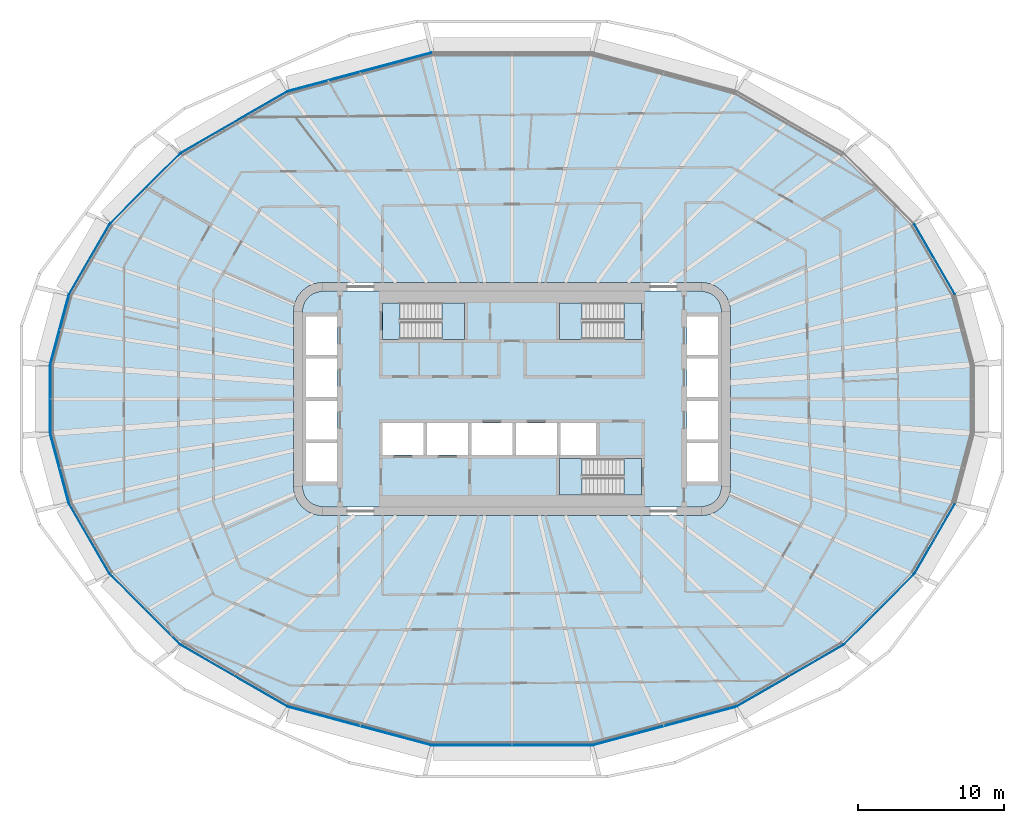
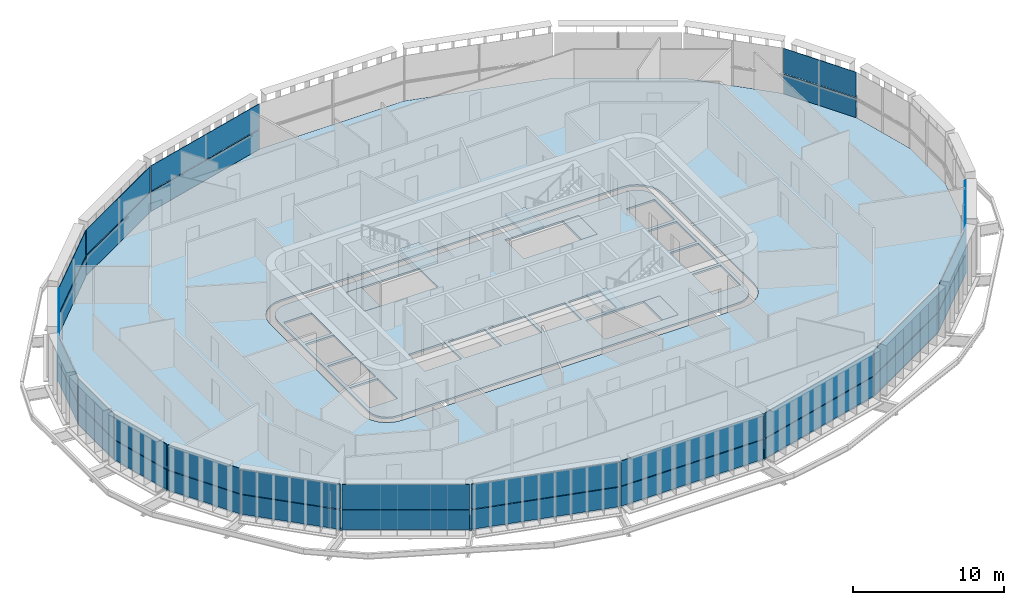
# One storey, part 13 of 26: 34 plates, 8 slabs, 20 elements without a shape of their own.
"""IFC4 building model written with IfcOpenShell, lengths in metres."""

from ifc_helpers import new_model, si_unit, direction, frame, origin, place, context, subcontext, project, spatial, polyline, outline, extrude, material, layer, layer_set, type_object, element, aggregate, save


model = new_model("IFC4")

# Units and contexts
model_context = context("Model", 3, precision=1e-05, world=origin(), true_north=direction((0.0, 1.0)))
body_context = subcontext(model_context, "Body", "Model", "MODEL_VIEW")
ifc_project = project(units=[si_unit("LENGTHUNIT", "METRE"), si_unit("AREAUNIT", "SQUARE_METRE"), si_unit("VOLUMEUNIT", "CUBIC_METRE"), si_unit("PLANEANGLEUNIT", "RADIAN"), si_unit("MASSUNIT", "GRAM", prefix="KILO")], contexts=[model_context])

# Site, building, storey
site_placement = place(None, origin())
site = spatial("IfcSite", under=ifc_project, at=site_placement, CompositionType="ELEMENT")
building_placement = place(site_placement, origin())
building = spatial("IfcBuilding", under=site, at=building_placement, Name="Sahrelin Media Tower", CompositionType="ELEMENT")
storey_placement = place(building_placement, frame((0.0, 0.0, 92.39990234375)))
storey = spatial("IfcBuildingStorey", under=building, at=storey_placement, Name="L17", CompositionType="ELEMENT", Elevation=92.39990234375)

# Slabs
ifc_material_1 = material(Name="Concrete C40/50", Category="concrete")
ifc_layer_1 = layer(ifc_material_1, 0.14990234375)
ifc_layer_set_1 = layer_set([ifc_layer_1], Name="Composite floor slab 150")
slab_type_1 = type_object("IfcSlabType", Name="Composite floor slab 150", PredefinedType="FLOOR", material=ifc_layer_set_1)
placement_1 = place(storey_placement, frame((0.0, 0.0, -0.14990234375)))
element("IfcSlab", 1, at=placement_1, inside=storey, type_object=slab_type_1, Name="Floor slab L17", PredefinedType="FLOOR", context=body_context, shape_type="SweptSolid", body=[
    extrude(outline(polyline([(31.69140625, -2.364013671875), (31.69140625, 2.364013671875), (30.411376953125, 7.140869140625), (27.596923828125, 12.015625), (22.759033203125, 16.853515625), (15.37060546875, 21.119140625), (5.491455078125, 23.766357421875), (-5.491455078125, 23.766357421875), (-15.37060546875, 21.119140625), (-22.759033203125, 16.853515625), (-27.596923828125, 12.015625), (-30.411376953125, 7.140869140625), (-31.69140625, 2.364013671875), (-31.69140625, -2.364013671875), (-30.411376953125, -7.140869140625), (-27.596923828125, -12.015625), (-22.759033203125, -16.853515625), (-15.37060546875, -21.119140625), (-5.491455078125, -23.766357421875), (5.491455078125, -23.766357421875), (15.37060546875, -21.119140625), (22.759033203125, -16.853515625), (27.596923828125, -12.015625), (30.411376953125, -7.140869140625), (31.69140625, -2.364013671875)]), holes=[polyline([(14.931884765625, 6.517578125), (15.0, 6.0), (15.0, -6.0), (14.931884765625, -6.517578125), (14.732177734375, -7.0), (14.414306640625, -7.414306640625), (14.0, -7.732177734375), (13.517578125, -7.931884765625), (13.0, -8.0), (-13.0, -8.0), (-13.517578125, -7.931884765625), (-14.0, -7.732177734375), (-14.414306640625, -7.414306640625), (-14.732177734375, -7.0), (-14.931884765625, -6.517578125), (-15.0, -6.0), (-15.0, 6.0), (-14.931884765625, 6.517578125), (-14.732177734375, 7.0), (-14.414306640625, 7.414306640625), (-14.0, 7.732177734375), (-13.517578125, 7.931884765625), (-13.0, 8.0), (13.0, 8.0), (13.517578125, 7.931884765625), (14.0, 7.732177734375), (14.414306640625, 7.414306640625), (14.732177734375, 7.0), (14.931884765625, 6.517578125)])]), origin(), (0.0, 0.0, 1.0), 0.14990234375),
])
ifc_layer_2 = layer(ifc_material_1, 0.14990234375)
ifc_layer_set_2 = layer_set([ifc_layer_2], Name="Core floor slab 150")
slab_type_2 = type_object("IfcSlabType", Name="Core floor slab 150", PredefinedType="FLOOR", material=ifc_layer_set_2)
element("IfcSlab", 2, at=placement_1, inside=storey, type_object=slab_type_2, Name="Core floor", PredefinedType="FLOOR", context=body_context, shape_type="SweptSolid", body=[
    extrude(outline(polyline([(-14.347412109375, 6.361083984375), (-14.39990234375, 5.960693359375), (-14.39990234375, -5.960693359375), (-14.347412109375, -6.361083984375), (-14.2080078125, -6.697509765625), (-13.986328125, -6.986328125), (-13.697509765625, -7.2080078125), (-13.361083984375, -7.347412109375), (-12.960693359375, -7.39990234375), (12.960693359375, -7.39990234375), (13.361083984375, -7.347412109375), (13.697509765625, -7.2080078125), (13.986328125, -6.986328125), (14.2080078125, -6.697509765625), (14.347412109375, -6.361083984375), (14.39990234375, -5.960693359375), (14.39990234375, 5.960693359375), (14.347412109375, 6.361083984375), (14.2080078125, 6.697509765625), (13.986328125, 6.986328125), (13.697509765625, 7.2080078125), (13.361083984375, 7.347412109375), (12.960693359375, 7.39990234375), (-12.960693359375, 7.39990234375), (-13.361083984375, 7.347412109375), (-13.697509765625, 7.2080078125), (-13.986328125, 6.986328125), (-14.2080078125, 6.697509765625), (-14.347412109375, 6.361083984375)]), holes=[polyline([(-12.0, 3.02490234375), (-12.0, 5.675048828125), (-14.14990234375, 5.675048828125), (-14.14990234375, 3.02490234375), (-12.0, 3.02490234375)]), polyline([(-14.14990234375, 0.125), (-12.0, 0.125), (-12.0, 2.77490234375), (-14.14990234375, 2.77490234375), (-14.14990234375, 0.125)]), polyline([(-14.14990234375, -0.125), (-14.14990234375, -2.77490234375), (-12.0, -2.77490234375), (-12.0, -0.125), (-14.14990234375, -0.125)]), polyline([(-12.0, -3.02490234375), (-14.14990234375, -3.02490234375), (-14.14990234375, -5.675048828125), (-12.0, -5.675048828125), (-12.0, -3.02490234375)]), polyline([(14.14990234375, 3.02490234375), (14.14990234375, 5.675048828125), (12.0, 5.675048828125), (12.0, 3.02490234375), (14.14990234375, 3.02490234375)]), polyline([(12.0, 0.125), (14.14990234375, 0.125), (14.14990234375, 2.77490234375), (12.0, 2.77490234375), (12.0, 0.125)]), polyline([(12.0, -0.125), (12.0, -2.77490234375), (14.14990234375, -2.77490234375), (14.14990234375, -0.125), (12.0, -0.125)]), polyline([(14.14990234375, -3.02490234375), (12.0, -3.02490234375), (12.0, -5.675048828125), (14.14990234375, -5.675048828125), (14.14990234375, -3.02490234375)]), polyline([(-6.074951171875, -3.85009765625), (-6.074951171875, -1.64990234375), (-8.875, -1.64990234375), (-8.875, -3.85009765625), (-6.074951171875, -3.85009765625)]), polyline([(-5.824951171875, -3.85009765625), (-3.02490234375, -3.85009765625), (-3.02490234375, -1.64990234375), (-5.824951171875, -1.64990234375), (-5.824951171875, -3.85009765625)]), polyline([(-2.77490234375, -1.64990234375), (-2.77490234375, -3.85009765625), (0.02490234375, -3.85009765625), (0.02490234375, -1.64990234375), (-2.77490234375, -1.64990234375)]), polyline([(3.074951171875, -1.64990234375), (0.27490234375, -1.64990234375), (0.27490234375, -3.85009765625), (3.074951171875, -3.85009765625), (3.074951171875, -1.64990234375)]), polyline([(5.77490234375, -3.85009765625), (5.77490234375, -1.64990234375), (3.324951171875, -1.64990234375), (3.324951171875, -3.85009765625), (5.77490234375, -3.85009765625)]), polyline([(-8.875, 6.60009765625), (-8.875, 4.10009765625), (-3.27490234375, 4.10009765625), (-3.27490234375, 6.60009765625), (-8.875, 6.60009765625)]), polyline([(3.27490234375, 4.10009765625), (8.875, 4.10009765625), (8.875, 6.60009765625), (3.27490234375, 6.60009765625), (3.27490234375, 4.10009765625)]), polyline([(3.27490234375, -4.10009765625), (3.27490234375, -6.60009765625), (8.875, -6.60009765625), (8.875, -4.10009765625), (3.27490234375, -4.10009765625)])]), origin(), (0.0, 0.0, 1.0), 0.14990234375),
])

# Curtain wall, plate
ifc_material_2 = material(Name="Champagne anodised aluminium 6063-T6", Category="aluminium")
ifc_layer_3 = layer(ifc_material_2, 0.14990234375)
ifc_layer_set_3 = layer_set([ifc_layer_3], Name="Tower ribbon curtain wall")
curtain_wall_type = type_object("IfcCurtainWallType", Name="Tower ribbon curtain wall", PredefinedType="NOTDEFINED", material=ifc_layer_set_3)
curtain_wall_1_placement = place(storey_placement, frame((29.021484375, 9.58837890625, 0.0), z_axis=(0.0, 0.0, 1.0), x_axis=(1.0, 0.0, 0.0)))
curtain_wall_1 = element("IfcCurtainWall", 3, at=curtain_wall_1_placement, inside=storey, type_object=curtain_wall_type, Name="L17:CW:L17-02", PredefinedType="NOTDEFINED")
ifc_material_3 = material(Name="Clear low-iron glazing", Category="glass")
ifc_layer_4 = layer(ifc_material_3, 0.0400390625)
ifc_layer_set_4 = layer_set([ifc_layer_4], Name="Glazing panel 40 mm CW1")
plate_type_1 = type_object("IfcPlateType", Name="Glazing panel 40 mm CW1", PredefinedType="CURTAIN_PANEL", material=ifc_layer_set_4)
plate_1_placement = place(storey_placement, frame((30.42236328125, 7.201904296875, 1.630126953125), z_axis=(0.866024699562, 0.500001219746, 0.0), x_axis=(-0.500001219746, 0.866024699562, 0.0)))
plate_1 = element("IfcPlate", 4, at=plate_1_placement, type_object=plate_type_1, Name="L17:CWP2:L17-02", PredefinedType="CURTAIN_PANEL", context=body_context, shape_type="SweptSolid", body=[
    extrude(outline(polyline([(0.0, 0.0), (5.5341796875, 0.0), (5.5341796875, 2.0185546875), (0.0, 2.0185546875), (0.0, 0.0)])), origin(), (0.0, 0.0, -1.0), 0.0400390625),
])

curtain_wall_2_placement = place(storey_placement, frame((-10.436279296875, 22.462158203125, 0.0), z_axis=(0.0, 0.0, 1.0), x_axis=(1.0, 0.0, 0.0)))
curtain_wall_2 = element("IfcCurtainWall", 5, at=curtain_wall_2_placement, inside=storey, type_object=curtain_wall_type, Name="L17:CW:L17-07", PredefinedType="NOTDEFINED")
plate_2_placement = place(storey_placement, frame((-5.547607421875, 23.792724609375, 1.630126953125), z_axis=(-0.258817176465, 0.965926326987, 0.0), x_axis=(-0.965926326987, -0.258817176465, 0.0)))
plate_2 = element("IfcPlate", 6, at=plate_2_placement, type_object=plate_type_1, Name="L17:CWP2:L17-07", PredefinedType="CURTAIN_PANEL", context=body_context, shape_type="SweptSolid", body=[
    extrude(outline(polyline([(0.0, 0.0), (10.1328125, 0.0), (10.1328125, 2.0185546875), (0.0, 2.0185546875), (0.0, 0.0)])), origin(), (0.0, 0.0, -1.0), 0.0400390625),
])

curtain_wall_3_placement = place(storey_placement, frame((-19.074951171875, 19.003662109375, 0.0), z_axis=(0.0, 0.0, 1.0), x_axis=(1.0, 0.0, 0.0)))
curtain_wall_3 = element("IfcCurtainWall", 7, at=curtain_wall_3_placement, inside=storey, type_object=curtain_wall_type, Name="L17:CW:L17-08", PredefinedType="NOTDEFINED")
plate_3_placement = place(storey_placement, frame((-15.431640625, 21.130126953125, 1.630126953125), z_axis=(-0.500013857328, 0.866017403105, 0.0), x_axis=(-0.866017403105, -0.500013857328, 0.0)))
plate_3 = element("IfcPlate", 8, at=plate_3_placement, type_object=plate_type_1, Name="L17:CWP2:L17-08", PredefinedType="CURTAIN_PANEL", context=body_context, shape_type="SweptSolid", body=[
    extrude(outline(polyline([(0.0, 0.0), (8.436767578125, 0.0), (8.436767578125, 2.0185546875), (0.0, 2.0185546875), (0.0, 0.0)])), origin(), (0.0, 0.0, -1.0), 0.0400390625),
])

curtain_wall_4_placement = place(storey_placement, frame((-25.192138671875, 14.448486328125, 0.0), z_axis=(0.0, 0.0, 1.0), x_axis=(1.0, 0.0, 0.0)))
curtain_wall_4 = element("IfcCurtainWall", 9, at=curtain_wall_4_placement, inside=storey, type_object=curtain_wall_type, Name="L17:CW:L17-09", PredefinedType="NOTDEFINED")
plate_4_placement = place(storey_placement, frame((-22.82080078125, 16.84814453125, 1.630126953125), z_axis=(-0.707088688516, 0.707124873394, 0.0), x_axis=(-0.707124873394, -0.707088688516, 0.0)))
plate_4 = element("IfcPlate", 10, at=plate_4_placement, type_object=plate_type_1, Name="L17:CWP2:L17-09", PredefinedType="CURTAIN_PANEL", context=body_context, shape_type="SweptSolid", body=[
    extrude(outline(polyline([(0.0, 0.0), (6.7470703125, 0.0), (6.7470703125, 2.0185546875), (0.0, 2.0185546875), (0.0, 0.0)])), origin(), (0.0, 0.0, -1.0), 0.0400390625),
])

curtain_wall_5_placement = place(storey_placement, frame((-29.021484375, 9.58837890625, 0.0), z_axis=(0.0, 0.0, 1.0), x_axis=(1.0, 0.0, 0.0)))
curtain_wall_5 = element("IfcCurtainWall", 11, at=curtain_wall_5_placement, inside=storey, type_object=curtain_wall_type, Name="L17:CW:L17-10", PredefinedType="NOTDEFINED")
plate_5_placement = place(storey_placement, frame((-27.6552734375, 11.99462890625, 1.630126953125), z_axis=(-0.866024699562, 0.500001219746, 0.0), x_axis=(-0.500001219746, -0.866024699562, 0.0)))
plate_5 = element("IfcPlate", 12, at=plate_5_placement, type_object=plate_type_1, Name="L17:CWP2:L17-10", PredefinedType="CURTAIN_PANEL", context=body_context, shape_type="SweptSolid", body=[
    extrude(outline(polyline([(0.0, 0.0), (5.5341796875, 0.0), (5.5341796875, 2.0185546875), (0.0, 2.0185546875), (0.0, 0.0)])), origin(), (0.0, 0.0, -1.0), 0.0400390625),
])

curtain_wall_6_placement = place(storey_placement, frame((-31.07080078125, 4.757568359375, 0.0), z_axis=(0.0, 0.0, 1.0), x_axis=(1.0, 0.0, 0.0)))
curtain_wall_6 = element("IfcCurtainWall", 13, at=curtain_wall_6_placement, inside=storey, type_object=curtain_wall_type, Name="L17:CW:L17-11", PredefinedType="NOTDEFINED")
plate_6_placement = place(storey_placement, frame((-30.46240234375, 7.10546875, 1.630126953125), z_axis=(-0.965928505831, 0.258809044708, 0.0), x_axis=(-0.258809044708, -0.965928505831, 0.0)))
plate_6 = element("IfcPlate", 14, at=plate_6_placement, type_object=plate_type_1, Name="L17:CWP2:L17-11", PredefinedType="CURTAIN_PANEL", context=body_context, shape_type="SweptSolid", body=[
    extrude(outline(polyline([(0.0, 0.0), (4.8505859375, 0.0), (4.8505859375, 2.0185546875), (0.0, 2.0185546875), (0.0, 0.0)])), origin(), (0.0, 0.0, -1.0), 0.0400390625),
])

curtain_wall_7_placement = place(storey_placement, frame((-31.711181640625, 0.0, 0.0), z_axis=(0.0, 0.0, 1.0), x_axis=(1.0, 0.0, 0.0)))
curtain_wall_7 = element("IfcCurtainWall", 15, at=curtain_wall_7_placement, inside=storey, type_object=curtain_wall_type, Name="L17:CW:L17-12", PredefinedType="NOTDEFINED")
plate_7_placement = place(storey_placement, frame((-31.731201171875, 2.316650390625, 1.630126953125), z_axis=(-1.0, 0.0, 0.0), x_axis=(0.0, -1.0, 0.0)))
plate_7 = element("IfcPlate", 16, at=plate_7_placement, type_object=plate_type_1, Name="L17:CWP2:L17-12", PredefinedType="CURTAIN_PANEL", context=body_context, shape_type="SweptSolid", body=[
    extrude(outline(polyline([(0.0, 0.0), (4.63330078125, 0.0), (4.63330078125, 2.0185546875), (0.0, 2.0185546875), (0.0, 0.0)])), origin(), (0.0, 0.0, -1.0), 0.0400390625),
])

curtain_wall_8_placement = place(storey_placement, frame((-31.07080078125, -4.757568359375, 0.0), z_axis=(0.0, 0.0, 1.0), x_axis=(1.0, 0.0, 0.0)))
curtain_wall_8 = element("IfcCurtainWall", 17, at=curtain_wall_8_placement, inside=storey, type_object=curtain_wall_type, Name="L17:CW:L17-13", PredefinedType="NOTDEFINED")
plate_8_placement = place(storey_placement, frame((-31.7177734375, -2.420166015625, 1.630126953125), z_axis=(-0.965928505831, -0.258809044708, 0.0), x_axis=(0.258809044708, -0.965928505831, 0.0)))
plate_8 = element("IfcPlate", 18, at=plate_8_placement, type_object=plate_type_1, Name="L17:CWP2:L17-13", PredefinedType="CURTAIN_PANEL", context=body_context, shape_type="SweptSolid", body=[
    extrude(outline(polyline([(0.0, 0.0), (4.8505859375, 0.0), (4.8505859375, 2.0185546875), (0.0, 2.0185546875), (0.0, 0.0)])), origin(), (0.0, 0.0, -1.0), 0.0400390625),
])

curtain_wall_9_placement = place(storey_placement, frame((-29.021484375, -9.58837890625, 0.0), z_axis=(0.0, 0.0, 1.0), x_axis=(1.0, 0.0, 0.0)))
curtain_wall_9 = element("IfcCurtainWall", 19, at=curtain_wall_9_placement, inside=storey, type_object=curtain_wall_type, Name="L17:CW:L17-14", PredefinedType="NOTDEFINED")
plate_9_placement = place(storey_placement, frame((-30.42236328125, -7.201904296875, 1.630126953125), z_axis=(-0.866024699562, -0.500001219746, 0.0), x_axis=(0.500001219746, -0.866024699562, 0.0)))
plate_9 = element("IfcPlate", 20, at=plate_9_placement, type_object=plate_type_1, Name="L17:CWP2:L17-14", PredefinedType="CURTAIN_PANEL", context=body_context, shape_type="SweptSolid", body=[
    extrude(outline(polyline([(0.0, 0.0), (5.5341796875, 0.0), (5.5341796875, 2.0185546875), (0.0, 2.0185546875), (0.0, 0.0)])), origin(), (0.0, 0.0, -1.0), 0.0400390625),
])

curtain_wall_10_placement = place(storey_placement, frame((-25.192138671875, -14.44873046875, 0.0), z_axis=(0.0, 0.0, 1.0), x_axis=(1.0, 0.0, 0.0)))
curtain_wall_10 = element("IfcCurtainWall", 21, at=curtain_wall_10_placement, inside=storey, type_object=curtain_wall_type, Name="L17:CW:L17-15", PredefinedType="NOTDEFINED")
plate_10_placement = place(storey_placement, frame((-27.591796875, -12.077392578125, 1.630126953125), z_axis=(-0.707088688516, -0.707124873394, 0.0), x_axis=(0.707124873394, -0.707088688516, 0.0)))
plate_10 = element("IfcPlate", 22, at=plate_10_placement, type_object=plate_type_1, Name="L17:CWP2:L17-15", PredefinedType="CURTAIN_PANEL", context=body_context, shape_type="SweptSolid", body=[
    extrude(outline(polyline([(0.0, 0.0), (6.7470703125, 0.0), (6.7470703125, 2.0185546875), (0.0, 2.0185546875), (0.0, 0.0)])), origin(), (0.0, 0.0, -1.0), 0.0400390625),
])

curtain_wall_11_placement = place(storey_placement, frame((-19.074951171875, -19.003662109375, 0.0), z_axis=(0.0, 0.0, 1.0), x_axis=(1.0, 0.0, 0.0)))
curtain_wall_11 = element("IfcCurtainWall", 23, at=curtain_wall_11_placement, inside=storey, type_object=curtain_wall_type, Name="L17:CW:L17-16", PredefinedType="NOTDEFINED")
plate_11_placement = place(storey_placement, frame((-22.738037109375, -16.91162109375, 1.630126953125), z_axis=(-0.500013857328, -0.866017403105, 0.0), x_axis=(0.866017403105, -0.500013857328, 0.0)))
plate_11 = element("IfcPlate", 24, at=plate_11_placement, type_object=plate_type_1, Name="L17:CWP2:L17-16", PredefinedType="CURTAIN_PANEL", context=body_context, shape_type="SweptSolid", body=[
    extrude(outline(polyline([(0.0, 0.0), (8.436767578125, 0.0), (8.436767578125, 2.0185546875), (0.0, 2.0185546875), (0.0, 0.0)])), origin(), (0.0, 0.0, -1.0), 0.0400390625),
])

curtain_wall_12_placement = place(storey_placement, frame((-10.436279296875, -22.4619140625, 0.0), z_axis=(0.0, 0.0, 1.0), x_axis=(1.0, 0.0, 0.0)))
curtain_wall_12 = element("IfcCurtainWall", 25, at=curtain_wall_12_placement, inside=storey, type_object=curtain_wall_type, Name="L17:CW:L17-17", PredefinedType="NOTDEFINED")
plate_12_placement = place(storey_placement, frame((-15.335205078125, -21.170166015625, 1.630126953125), z_axis=(-0.258817176465, -0.965926326987, 0.0), x_axis=(0.965926326987, -0.258817176465, 0.0)))
plate_12 = element("IfcPlate", 26, at=plate_12_placement, type_object=plate_type_1, Name="L17:CWP2:L17-17", PredefinedType="CURTAIN_PANEL", context=body_context, shape_type="SweptSolid", body=[
    extrude(outline(polyline([(0.0, 0.0), (10.1328125, 0.0), (10.1328125, 2.0185546875), (0.0, 2.0185546875), (0.0, 0.0)])), origin(), (0.0, 0.0, -1.0), 0.0400390625),
])

curtain_wall_13_placement = place(storey_placement, frame((0.0, -23.786376953125, 0.0), z_axis=(0.0, 0.0, 1.0), x_axis=(1.0, 0.0, 0.0)))
curtain_wall_13 = element("IfcCurtainWall", 27, at=curtain_wall_13_placement, inside=storey, type_object=curtain_wall_type, Name="L17:CW:L17-18", PredefinedType="NOTDEFINED")
plate_13_placement = place(storey_placement, frame((-5.444091796875, -23.806396484375, 1.630126953125), z_axis=(0.0, -1.0, 0.0), x_axis=(1.0, 0.0, 0.0)))
plate_13 = element("IfcPlate", 28, at=plate_13_placement, type_object=plate_type_1, Name="L17:CWP2:L17-18", PredefinedType="CURTAIN_PANEL", context=body_context, shape_type="SweptSolid", body=[
    extrude(outline(polyline([(0.0, 0.0), (10.88818359375, 0.0), (10.88818359375, 2.0185546875), (0.0, 2.0185546875), (0.0, 0.0)])), origin(), (0.0, 0.0, -1.0), 0.0400390625),
])

curtain_wall_14_placement = place(storey_placement, frame((10.436279296875, -22.462158203125, 0.0), z_axis=(0.0, 0.0, 1.0), x_axis=(1.0, 0.0, 0.0)))
curtain_wall_14 = element("IfcCurtainWall", 29, at=curtain_wall_14_placement, inside=storey, type_object=curtain_wall_type, Name="L17:CW:L17-19", PredefinedType="NOTDEFINED")
plate_14_placement = place(storey_placement, frame((5.547607421875, -23.792724609375, 1.630126953125), z_axis=(0.258817176465, -0.965926326987, 0.0), x_axis=(0.965926326987, 0.258817176465, 0.0)))
plate_14 = element("IfcPlate", 30, at=plate_14_placement, type_object=plate_type_1, Name="L17:CWP2:L17-19", PredefinedType="CURTAIN_PANEL", context=body_context, shape_type="SweptSolid", body=[
    extrude(outline(polyline([(0.0, 0.0), (10.1328125, 0.0), (10.1328125, 2.0185546875), (0.0, 2.0185546875), (0.0, 0.0)])), origin(), (0.0, 0.0, -1.0), 0.0400390625),
])

curtain_wall_15_placement = place(storey_placement, frame((19.074951171875, -19.003662109375, 0.0), z_axis=(0.0, 0.0, 1.0), x_axis=(1.0, 0.0, 0.0)))
curtain_wall_15 = element("IfcCurtainWall", 31, at=curtain_wall_15_placement, inside=storey, type_object=curtain_wall_type, Name="L17:CW:L17-20", PredefinedType="NOTDEFINED")
plate_15_placement = place(storey_placement, frame((15.431640625, -21.130126953125, 1.630126953125), z_axis=(0.500013857328, -0.866017403105, 0.0), x_axis=(0.866017403105, 0.500013857328, 0.0)))
plate_15 = element("IfcPlate", 32, at=plate_15_placement, type_object=plate_type_1, Name="L17:CWP2:L17-20", PredefinedType="CURTAIN_PANEL", context=body_context, shape_type="SweptSolid", body=[
    extrude(outline(polyline([(0.0, 0.0), (8.436767578125, 0.0), (8.436767578125, 2.0185546875), (0.0, 2.0185546875), (0.0, 0.0)])), origin(), (0.0, 0.0, -1.0), 0.0400390625),
])

curtain_wall_16_placement = place(storey_placement, frame((25.192138671875, -14.448486328125, 0.0), z_axis=(0.0, 0.0, 1.0), x_axis=(1.0, 0.0, 0.0)))
curtain_wall_16 = element("IfcCurtainWall", 33, at=curtain_wall_16_placement, inside=storey, type_object=curtain_wall_type, Name="L17:CW:L17-21", PredefinedType="NOTDEFINED")
plate_16_placement = place(storey_placement, frame((22.82080078125, -16.84814453125, 1.630126953125), z_axis=(0.707088688516, -0.707124873394, 0.0), x_axis=(0.707124873394, 0.707088688516, 0.0)))
plate_16 = element("IfcPlate", 34, at=plate_16_placement, type_object=plate_type_1, Name="L17:CWP2:L17-21", PredefinedType="CURTAIN_PANEL", context=body_context, shape_type="SweptSolid", body=[
    extrude(outline(polyline([(0.0, 0.0), (6.7470703125, 0.0), (6.7470703125, 2.0185546875), (0.0, 2.0185546875), (0.0, 0.0)])), origin(), (0.0, 0.0, -1.0), 0.0400390625),
])

curtain_wall_17_placement = place(storey_placement, frame((29.021484375, -9.58837890625, 0.0), z_axis=(0.0, 0.0, 1.0), x_axis=(1.0, 0.0, 0.0)))
curtain_wall_17 = element("IfcCurtainWall", 35, at=curtain_wall_17_placement, inside=storey, type_object=curtain_wall_type, Name="L17:CW:L17-22", PredefinedType="NOTDEFINED")
plate_17_placement = place(storey_placement, frame((27.6552734375, -11.99462890625, 1.630126953125), z_axis=(0.866024699562, -0.500001219746, 0.0), x_axis=(0.500001219746, 0.866024699562, 0.0)))
plate_17 = element("IfcPlate", 36, at=plate_17_placement, type_object=plate_type_1, Name="L17:CWP2:L17-22", PredefinedType="CURTAIN_PANEL", context=body_context, shape_type="SweptSolid", body=[
    extrude(outline(polyline([(0.0, 0.0), (5.5341796875, 0.0), (5.5341796875, 2.0185546875), (0.0, 2.0185546875), (0.0, 0.0)])), origin(), (0.0, 0.0, -1.0), 0.0400390625),
])

# Plate
ifc_material_4 = material(Name="Insulated spandrel panel")
ifc_layer_5 = layer(ifc_material_4, 0.06005859375)
ifc_layer_set_5 = layer_set([ifc_layer_5], Name="Spandrel panel 60 mm CW1")
plate_type_2 = type_object("IfcPlateType", Name="Spandrel panel 60 mm CW1", PredefinedType="SHEET", material=ifc_layer_set_5)
plate_18_placement = place(storey_placement, frame((30.42236328125, 7.201904296875, 0.0), z_axis=(0.866024699562, 0.500001219746, 0.0), x_axis=(-0.500001219746, 0.866024699562, 0.0)))
plate_18 = element("IfcPlate", 37, at=plate_18_placement, type_object=plate_type_2, Name="L17:CWP1:L17-02", PredefinedType="SHEET", context=body_context, shape_type="SweptSolid", body=[
    extrude(outline(polyline([(0.0, 0.0), (5.5341796875, 0.0), (5.5341796875, 1.570068359375), (0.0, 1.570068359375), (0.0, 0.0)])), origin(), (0.0, 0.0, -1.0), 0.06005859375),
])

aggregate(curtain_wall_1, [plate_18, plate_1])

plate_19_placement = place(storey_placement, frame((-5.547607421875, 23.792724609375, 0.0), z_axis=(-0.258817176465, 0.965926326987, 0.0), x_axis=(-0.965926326987, -0.258817176465, 0.0)))
plate_19 = element("IfcPlate", 38, at=plate_19_placement, type_object=plate_type_2, Name="L17:CWP1:L17-07", PredefinedType="SHEET", context=body_context, shape_type="SweptSolid", body=[
    extrude(outline(polyline([(0.0, 0.0), (10.1328125, 0.0), (10.1328125, 1.570068359375), (0.0, 1.570068359375), (0.0, 0.0)])), origin(), (0.0, 0.0, -1.0), 0.06005859375),
])

aggregate(curtain_wall_2, [plate_19, plate_2])

plate_20_placement = place(storey_placement, frame((-15.431640625, 21.130126953125, 0.0), z_axis=(-0.500013857328, 0.866017403105, 0.0), x_axis=(-0.866017403105, -0.500013857328, 0.0)))
plate_20 = element("IfcPlate", 39, at=plate_20_placement, type_object=plate_type_2, Name="L17:CWP1:L17-08", PredefinedType="SHEET", context=body_context, shape_type="SweptSolid", body=[
    extrude(outline(polyline([(0.0, 0.0), (8.436767578125, 0.0), (8.436767578125, 1.570068359375), (0.0, 1.570068359375), (0.0, 0.0)])), origin(), (0.0, 0.0, -1.0), 0.06005859375),
])

aggregate(curtain_wall_3, [plate_20, plate_3])

plate_21_placement = place(storey_placement, frame((-22.82080078125, 16.84814453125, 0.0), z_axis=(-0.707088688516, 0.707124873394, 0.0), x_axis=(-0.707124873394, -0.707088688516, 0.0)))
plate_21 = element("IfcPlate", 40, at=plate_21_placement, type_object=plate_type_2, Name="L17:CWP1:L17-09", PredefinedType="SHEET", context=body_context, shape_type="SweptSolid", body=[
    extrude(outline(polyline([(0.0, 0.0), (6.7470703125, 0.0), (6.7470703125, 1.570068359375), (0.0, 1.570068359375), (0.0, 0.0)])), origin(), (0.0, 0.0, -1.0), 0.06005859375),
])

aggregate(curtain_wall_4, [plate_21, plate_4])

plate_22_placement = place(storey_placement, frame((-27.6552734375, 11.99462890625, 0.0), z_axis=(-0.866024699562, 0.500001219746, 0.0), x_axis=(-0.500001219746, -0.866024699562, 0.0)))
plate_22 = element("IfcPlate", 41, at=plate_22_placement, type_object=plate_type_2, Name="L17:CWP1:L17-10", PredefinedType="SHEET", context=body_context, shape_type="SweptSolid", body=[
    extrude(outline(polyline([(0.0, 0.0), (5.5341796875, 0.0), (5.5341796875, 1.570068359375), (0.0, 1.570068359375), (0.0, 0.0)])), origin(), (0.0, 0.0, -1.0), 0.06005859375),
])

aggregate(curtain_wall_5, [plate_22, plate_5])

plate_23_placement = place(storey_placement, frame((-30.46240234375, 7.10546875, 0.0), z_axis=(-0.965928505831, 0.258809044708, 0.0), x_axis=(-0.258809044708, -0.965928505831, 0.0)))
plate_23 = element("IfcPlate", 42, at=plate_23_placement, type_object=plate_type_2, Name="L17:CWP1:L17-11", PredefinedType="SHEET", context=body_context, shape_type="SweptSolid", body=[
    extrude(outline(polyline([(0.0, 0.0), (4.8505859375, 0.0), (4.8505859375, 1.570068359375), (0.0, 1.570068359375), (0.0, 0.0)])), origin(), (0.0, 0.0, -1.0), 0.06005859375),
])

aggregate(curtain_wall_6, [plate_23, plate_6])

plate_24_placement = place(storey_placement, frame((-31.731201171875, 2.316650390625, 0.0), z_axis=(-1.0, 0.0, 0.0), x_axis=(0.0, -1.0, 0.0)))
plate_24 = element("IfcPlate", 43, at=plate_24_placement, type_object=plate_type_2, Name="L17:CWP1:L17-12", PredefinedType="SHEET", context=body_context, shape_type="SweptSolid", body=[
    extrude(outline(polyline([(0.0, 0.0), (4.63330078125, 0.0), (4.63330078125, 1.570068359375), (0.0, 1.570068359375), (0.0, 0.0)])), origin(), (0.0, 0.0, -1.0), 0.06005859375),
])

aggregate(curtain_wall_7, [plate_24, plate_7])

plate_25_placement = place(storey_placement, frame((-31.7177734375, -2.420166015625, 0.0), z_axis=(-0.965928505831, -0.258809044708, 0.0), x_axis=(0.258809044708, -0.965928505831, 0.0)))
plate_25 = element("IfcPlate", 44, at=plate_25_placement, type_object=plate_type_2, Name="L17:CWP1:L17-13", PredefinedType="SHEET", context=body_context, shape_type="SweptSolid", body=[
    extrude(outline(polyline([(0.0, 0.0), (4.8505859375, 0.0), (4.8505859375, 1.570068359375), (0.0, 1.570068359375), (0.0, 0.0)])), origin(), (0.0, 0.0, -1.0), 0.06005859375),
])

aggregate(curtain_wall_8, [plate_25, plate_8])

plate_26_placement = place(storey_placement, frame((-30.42236328125, -7.201904296875, 0.0), z_axis=(-0.866024699562, -0.500001219746, 0.0), x_axis=(0.500001219746, -0.866024699562, 0.0)))
plate_26 = element("IfcPlate", 45, at=plate_26_placement, type_object=plate_type_2, Name="L17:CWP1:L17-14", PredefinedType="SHEET", context=body_context, shape_type="SweptSolid", body=[
    extrude(outline(polyline([(0.0, 0.0), (5.5341796875, 0.0), (5.5341796875, 1.570068359375), (0.0, 1.570068359375), (0.0, 0.0)])), origin(), (0.0, 0.0, -1.0), 0.06005859375),
])

aggregate(curtain_wall_9, [plate_26, plate_9])

plate_27_placement = place(storey_placement, frame((-27.591796875, -12.077392578125, 0.0), z_axis=(-0.707088688516, -0.707124873394, 0.0), x_axis=(0.707124873394, -0.707088688516, 0.0)))
plate_27 = element("IfcPlate", 46, at=plate_27_placement, type_object=plate_type_2, Name="L17:CWP1:L17-15", PredefinedType="SHEET", context=body_context, shape_type="SweptSolid", body=[
    extrude(outline(polyline([(0.0, 0.0), (6.7470703125, 0.0), (6.7470703125, 1.570068359375), (0.0, 1.570068359375), (0.0, 0.0)])), origin(), (0.0, 0.0, -1.0), 0.06005859375),
])

aggregate(curtain_wall_10, [plate_27, plate_10])

plate_28_placement = place(storey_placement, frame((-22.738037109375, -16.91162109375, 0.0), z_axis=(-0.500013857328, -0.866017403105, 0.0), x_axis=(0.866017403105, -0.500013857328, 0.0)))
plate_28 = element("IfcPlate", 47, at=plate_28_placement, type_object=plate_type_2, Name="L17:CWP1:L17-16", PredefinedType="SHEET", context=body_context, shape_type="SweptSolid", body=[
    extrude(outline(polyline([(0.0, 0.0), (8.436767578125, 0.0), (8.436767578125, 1.570068359375), (0.0, 1.570068359375), (0.0, 0.0)])), origin(), (0.0, 0.0, -1.0), 0.06005859375),
])

aggregate(curtain_wall_11, [plate_28, plate_11])

plate_29_placement = place(storey_placement, frame((-15.335205078125, -21.170166015625, 0.0), z_axis=(-0.258817176465, -0.965926326987, 0.0), x_axis=(0.965926326987, -0.258817176465, 0.0)))
plate_29 = element("IfcPlate", 48, at=plate_29_placement, type_object=plate_type_2, Name="L17:CWP1:L17-17", PredefinedType="SHEET", context=body_context, shape_type="SweptSolid", body=[
    extrude(outline(polyline([(0.0, 0.0), (10.1328125, 0.0), (10.1328125, 1.570068359375), (0.0, 1.570068359375), (0.0, 0.0)])), origin(), (0.0, 0.0, -1.0), 0.06005859375),
])

aggregate(curtain_wall_12, [plate_29, plate_12])

plate_30_placement = place(storey_placement, frame((-5.444091796875, -23.806396484375, 0.0), z_axis=(0.0, -1.0, 0.0), x_axis=(1.0, 0.0, 0.0)))
plate_30 = element("IfcPlate", 49, at=plate_30_placement, type_object=plate_type_2, Name="L17:CWP1:L17-18", PredefinedType="SHEET", context=body_context, shape_type="SweptSolid", body=[
    extrude(outline(polyline([(0.0, 0.0), (10.88818359375, 0.0), (10.88818359375, 1.570068359375), (0.0, 1.570068359375), (0.0, 0.0)])), origin(), (0.0, 0.0, -1.0), 0.06005859375),
])

aggregate(curtain_wall_13, [plate_30, plate_13])

plate_31_placement = place(storey_placement, frame((5.547607421875, -23.792724609375, 0.0), z_axis=(0.258817176465, -0.965926326987, 0.0), x_axis=(0.965926326987, 0.258817176465, 0.0)))
plate_31 = element("IfcPlate", 50, at=plate_31_placement, type_object=plate_type_2, Name="L17:CWP1:L17-19", PredefinedType="SHEET", context=body_context, shape_type="SweptSolid", body=[
    extrude(outline(polyline([(0.0, 0.0), (10.1328125, 0.0), (10.1328125, 1.570068359375), (0.0, 1.570068359375), (0.0, 0.0)])), origin(), (0.0, 0.0, -1.0), 0.06005859375),
])

aggregate(curtain_wall_14, [plate_31, plate_14])

plate_32_placement = place(storey_placement, frame((15.431640625, -21.130126953125, 0.0), z_axis=(0.500013857328, -0.866017403105, 0.0), x_axis=(0.866017403105, 0.500013857328, 0.0)))
plate_32 = element("IfcPlate", 51, at=plate_32_placement, type_object=plate_type_2, Name="L17:CWP1:L17-20", PredefinedType="SHEET", context=body_context, shape_type="SweptSolid", body=[
    extrude(outline(polyline([(0.0, 0.0), (8.436767578125, 0.0), (8.436767578125, 1.570068359375), (0.0, 1.570068359375), (0.0, 0.0)])), origin(), (0.0, 0.0, -1.0), 0.06005859375),
])

aggregate(curtain_wall_15, [plate_32, plate_15])

plate_33_placement = place(storey_placement, frame((22.82080078125, -16.84814453125, 0.0), z_axis=(0.707088688516, -0.707124873394, 0.0), x_axis=(0.707124873394, 0.707088688516, 0.0)))
plate_33 = element("IfcPlate", 52, at=plate_33_placement, type_object=plate_type_2, Name="L17:CWP1:L17-21", PredefinedType="SHEET", context=body_context, shape_type="SweptSolid", body=[
    extrude(outline(polyline([(0.0, 0.0), (6.7470703125, 0.0), (6.7470703125, 1.570068359375), (0.0, 1.570068359375), (0.0, 0.0)])), origin(), (0.0, 0.0, -1.0), 0.06005859375),
])

aggregate(curtain_wall_16, [plate_33, plate_16])

plate_34_placement = place(storey_placement, frame((27.6552734375, -11.99462890625, 0.0), z_axis=(0.866024699562, -0.500001219746, 0.0), x_axis=(0.500001219746, 0.866024699562, 0.0)))
plate_34 = element("IfcPlate", 53, at=plate_34_placement, type_object=plate_type_2, Name="L17:CWP1:L17-22", PredefinedType="SHEET", context=body_context, shape_type="SweptSolid", body=[
    extrude(outline(polyline([(0.0, 0.0), (5.5341796875, 0.0), (5.5341796875, 1.570068359375), (0.0, 1.570068359375), (0.0, 0.0)])), origin(), (0.0, 0.0, -1.0), 0.06005859375),
])

aggregate(curtain_wall_17, [plate_34, plate_17])

# Stair, slabs
stair_type = type_object("IfcStairType", Name="Exit stair 1200", PredefinedType="HALF_TURN_STAIR", material=ifc_material_1)
placement_2 = place(storey_placement, origin())
stair_1 = element("IfcStair", 54, at=placement_2, inside=storey, type_object=stair_type, Name="L17 Exit stair ST1", PredefinedType="HALF_TURN_STAIR")
ifc_layer_6 = layer(ifc_material_1, 0.199951171875)
ifc_layer_set_6 = layer_set([ifc_layer_6], Name="Stair landing 200")
slab_type_3 = type_object("IfcSlabType", Name="Stair landing 200", PredefinedType="LANDING", material=ifc_layer_set_6)
placement_3 = place(storey_placement, frame((0.0, 0.0, 1.900146484375)))
slab_3 = element("IfcSlab", 55, at=placement_3, type_object=slab_type_3, Name="ST1 landing 1", PredefinedType="LANDING", context=body_context, shape_type="SweptSolid", body=[
    extrude(outline(polyline([(-4.81494140625, 4.10009765625), (-3.27490234375, 4.10009765625), (-3.27490234375, 6.60009765625), (-4.81494140625, 6.60009765625), (-4.81494140625, 4.10009765625)])), origin(), (0.0, 0.0, 1.0), 0.199951171875),
])
placement_4 = place(storey_placement, frame((0.0, 0.0, -0.199951171875)))
slab_4 = element("IfcSlab", 56, at=placement_4, type_object=slab_type_3, Name="ST1 landing 2", PredefinedType="LANDING", context=body_context, shape_type="SweptSolid", body=[
    extrude(outline(polyline([(-8.875, 4.10009765625), (-7.675048828125, 4.10009765625), (-7.675048828125, 6.60009765625), (-8.875, 6.60009765625), (-8.875, 4.10009765625)])), origin(), (0.0, 0.0, 1.0), 0.199951171875),
])
aggregate(stair_1, [slab_3, slab_4])

stair_2 = element("IfcStair", 57, at=placement_2, inside=storey, type_object=stair_type, Name="L17 Exit stair ST3", PredefinedType="HALF_TURN_STAIR")
slab_5 = element("IfcSlab", 58, at=placement_3, type_object=slab_type_3, Name="ST3 landing 1", PredefinedType="LANDING", context=body_context, shape_type="SweptSolid", body=[
    extrude(outline(polyline([(4.81494140625, 6.60009765625), (3.27490234375, 6.60009765625), (3.27490234375, 4.10009765625), (4.81494140625, 4.10009765625), (4.81494140625, 6.60009765625)])), origin(), (0.0, 0.0, 1.0), 0.199951171875),
])
slab_6 = element("IfcSlab", 59, at=placement_4, type_object=slab_type_3, Name="ST3 landing 2", PredefinedType="LANDING", context=body_context, shape_type="SweptSolid", body=[
    extrude(outline(polyline([(8.875, 6.60009765625), (7.675048828125, 6.60009765625), (7.675048828125, 4.10009765625), (8.875, 4.10009765625), (8.875, 6.60009765625)])), origin(), (0.0, 0.0, 1.0), 0.199951171875),
])
aggregate(stair_2, [slab_5, slab_6])

stair_3 = element("IfcStair", 60, at=placement_2, inside=storey, type_object=stair_type, Name="L17 Exit stair ST2", PredefinedType="HALF_TURN_STAIR")
slab_7 = element("IfcSlab", 61, at=placement_3, type_object=slab_type_3, Name="ST2 landing 1", PredefinedType="LANDING", context=body_context, shape_type="SweptSolid", body=[
    extrude(outline(polyline([(4.81494140625, -4.10009765625), (3.27490234375, -4.10009765625), (3.27490234375, -6.60009765625), (4.81494140625, -6.60009765625), (4.81494140625, -4.10009765625)])), origin(), (0.0, 0.0, 1.0), 0.199951171875),
])
slab_8 = element("IfcSlab", 62, at=placement_4, type_object=slab_type_3, Name="ST2 landing 2", PredefinedType="LANDING", context=body_context, shape_type="SweptSolid", body=[
    extrude(outline(polyline([(8.875, -4.10009765625), (7.675048828125, -4.10009765625), (7.675048828125, -6.60009765625), (8.875, -6.60009765625), (8.875, -4.10009765625)])), origin(), (0.0, 0.0, 1.0), 0.199951171875),
])
aggregate(stair_3, [slab_7, slab_8])

save(model, "model.ifc")
